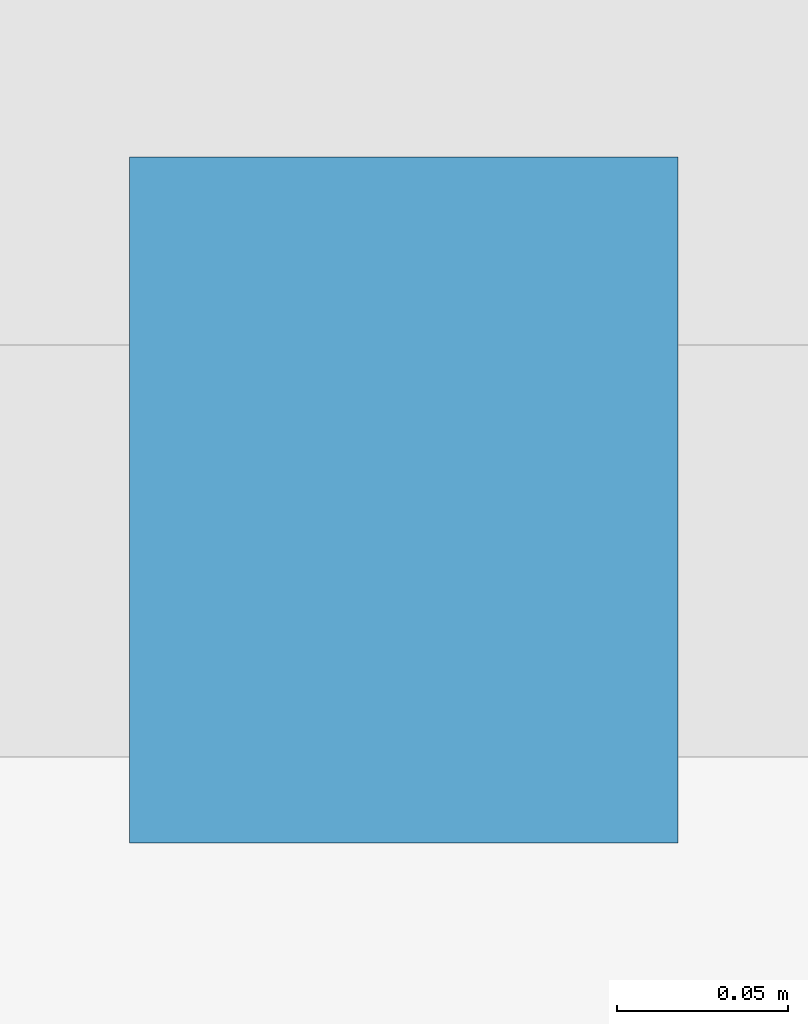
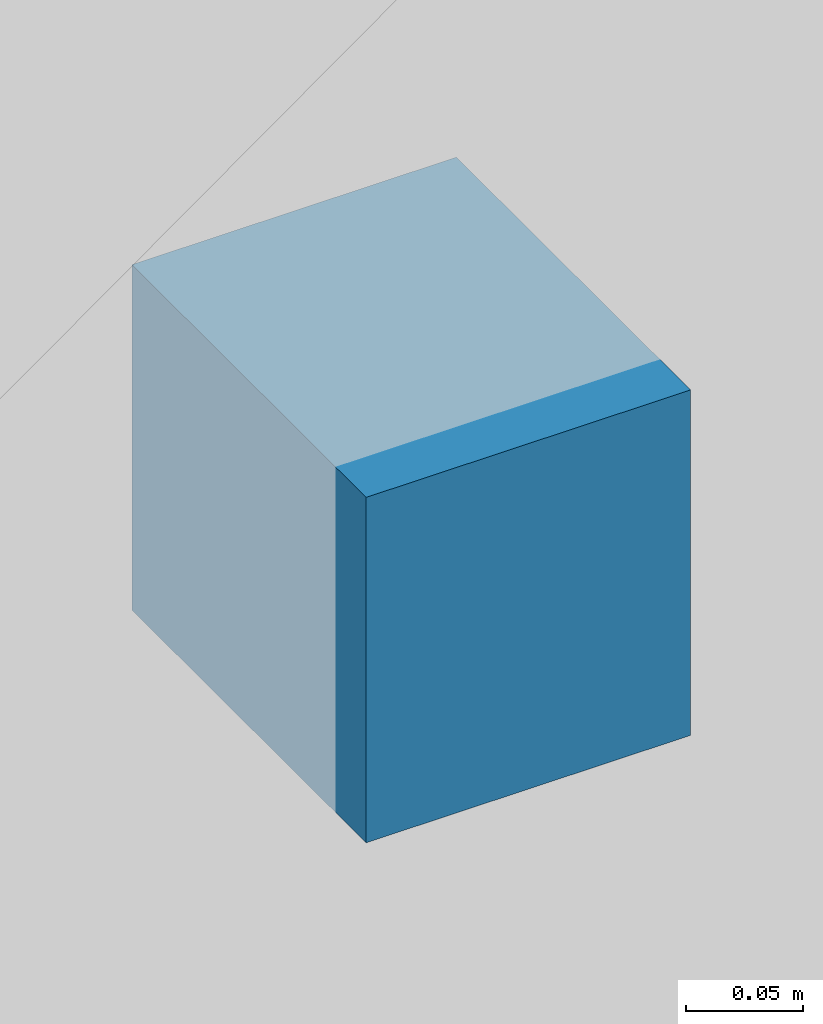
# One storey, part 22 of 27: 1 discrete accessory.
"""IFC4 building model written with IfcOpenShell, lengths in metres."""

from ifc_helpers import new_model, si_unit, direction, frame, origin, origin_2d, place, context, subcontext, project, spatial, rectangle, extrude, material, type_object, element, save


model = new_model("IFC4")

# Units and contexts
model_context = context("Model", 3, precision=1e-05, world=origin(), true_north=direction((0.0, 1.0)))
body_context = subcontext(model_context, "Body", "Model", "MODEL_VIEW")
ifc_project = project(units=[si_unit("LENGTHUNIT", "METRE"), si_unit("AREAUNIT", "SQUARE_METRE"), si_unit("VOLUMEUNIT", "CUBIC_METRE"), si_unit("PLANEANGLEUNIT", "RADIAN"), si_unit("MASSUNIT", "GRAM", prefix="KILO")], contexts=[model_context])

# Site, building, storey
site_placement = place(None, origin())
site = spatial("IfcSite", under=ifc_project, at=site_placement, CompositionType="ELEMENT")
building_placement = place(site_placement, origin())
building = spatial("IfcBuilding", under=site, at=building_placement, Name="Koriwani Terraces Tower", CompositionType="ELEMENT")
storey_placement = place(building_placement, frame((0.0, 0.0, 70.0)))
storey = spatial("IfcBuildingStorey", under=building, at=storey_placement, Name="L16", CompositionType="ELEMENT", Elevation=70.0)

# Discrete accessory
ifc_material = material(Name="Steel ASTM A572 Grade 50", Category="steel")
discrete_accessory_type = type_object("IfcDiscreteAccessoryType", Name="BAGUETTE_STANDOFF_BRACKET", PredefinedType="BRACKET", material=ifc_material)
discrete_accessory_placement = place(storey_placement, frame((79.800048828125, 33.2099609375, 1.68505859375), z_axis=(0.0, 0.0, 1.0), x_axis=(1.0, 0.0, 0.0)))
element("IfcDiscreteAccessory", 1, at=discrete_accessory_placement, inside=storey, type_object=discrete_accessory_type, Name="L16 Terracotta Baguette Bracket (NE-17)", PredefinedType="BRACKET", context=body_context, shape_type="SweptSolid", body=[
    extrude(rectangle(XDim=0.159912109375, YDim=0.199951171875, at=origin_2d()), origin(), (0.0, 0.0, 1.0), 0.179931640625),
])

save(model, "model.ifc")
